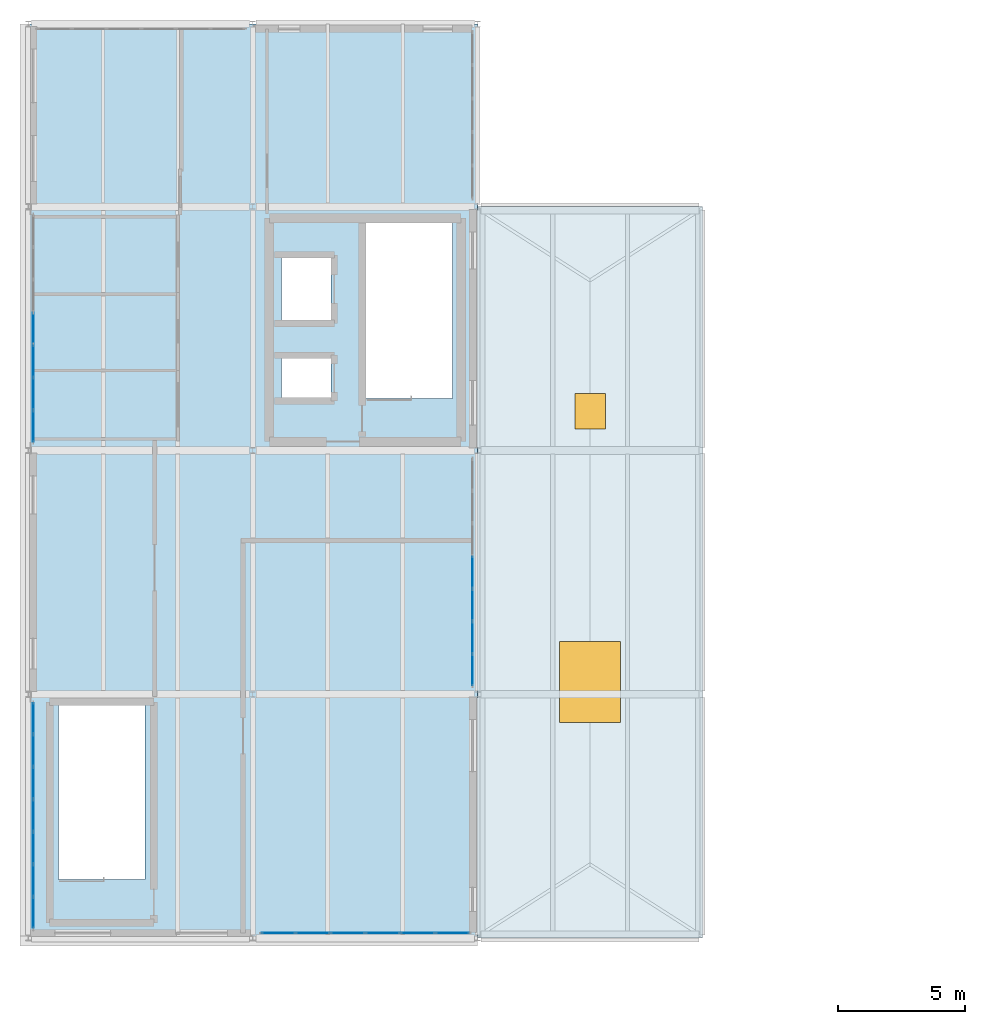
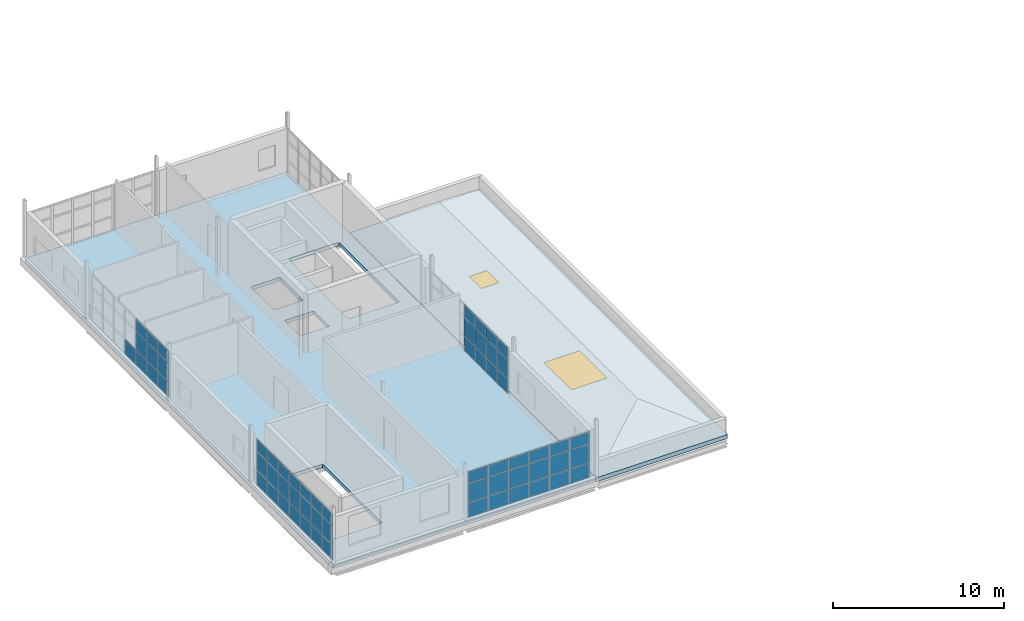
# One storey, part 10 of 16: 61 plates, 2 slabs, 1 door, 1 window, 2 openings, 4 elements without a shape of their own.
"""IFC4 building model written with IfcOpenShell, lengths in metres."""

from ifc_helpers import new_model, si_unit, direction, frame, origin, origin_2d, place, context, subcontext, project, spatial, polyline, rectangle, outline, extrude, material, layer, layer_set, type_object, element, fill, aggregate, save


model = new_model("IFC4")

# Units and contexts
model_context = context("Model", 3, precision=1e-05, world=origin(), true_north=direction((0.0, 1.0)))
body_context = subcontext(model_context, "Body", "Model", "MODEL_VIEW")
ifc_project = project(units=[si_unit("LENGTHUNIT", "METRE"), si_unit("AREAUNIT", "SQUARE_METRE"), si_unit("VOLUMEUNIT", "CUBIC_METRE"), si_unit("PLANEANGLEUNIT", "RADIAN"), si_unit("MASSUNIT", "GRAM", prefix="KILO")], contexts=[model_context])

# Site, building, storey
site_placement = place(None, origin())
site = spatial("IfcSite", under=ifc_project, at=site_placement, CompositionType="ELEMENT")
building_placement = place(site_placement, origin())
building = spatial("IfcBuilding", under=site, at=building_placement, Name="Yeouljin Market Hall", CompositionType="ELEMENT")
storey_placement = place(building_placement, frame((0.0, 0.0, 19.199951171875)))
storey = spatial("IfcBuildingStorey", under=building, at=storey_placement, Name="L04", CompositionType="ELEMENT", Elevation=19.199951171875)

# Curtain wall, plates
ifc_material_1 = material(Name="Thermally Broken Aluminium", Category="aluminium")
ifc_layer_1 = layer(ifc_material_1, 0.14990234375)
ifc_layer_set_1 = layer_set([ifc_layer_1], Name="Thermally Broken Aluminium")
curtain_wall_type = type_object("IfcCurtainWallType", Name="CW_AcademyRibbon_System", PredefinedType="USERDEFINED", material=ifc_layer_set_1)
curtain_wall_1_placement = place(storey_placement, origin())
curtain_wall_1 = element("IfcCurtainWall", 1, at=curtain_wall_1_placement, inside=storey, type_object=curtain_wall_type, Name="Curtain wall CW-L04-W01", ObjectType="CURTAIN WALL", PredefinedType="USERDEFINED")
ifc_material_2 = material(Name="Low-E Insulated Glass", Category="glass")
ifc_layer_2 = layer(ifc_material_2, 0.028076171875)
ifc_layer_set_2 = layer_set([ifc_layer_2], Name="Low-E Insulated Glass")
plate_type = type_object("IfcPlateType", Name="CWPanel_LowE_28", PredefinedType="CURTAIN_PANEL", material=ifc_layer_set_2)
plate_1_placement = place(storey_placement, frame((16.700439453125, 0.199951171875, 0.0478515625), z_axis=(0.0, 0.0, 1.0), x_axis=(-1.0, 0.0, 0.0)))
plate_1 = element("IfcPlate", 2, at=plate_1_placement, type_object=plate_type, Name="CW-05 panel 1.1", PredefinedType="CURTAIN_PANEL", context=body_context, shape_type="SweptSolid", body=[
    extrude(rectangle(XDim=1.302978515625, YDim=0.028076171875, at=origin_2d()), origin(), (0.0, 0.0, 1.0), 1.028076171875),
])
plate_2_placement = place(storey_placement, frame((16.700439453125, 0.199951171875, 1.1240234375), z_axis=(0.0, 0.0, 1.0), x_axis=(-1.0, 0.0, 0.0)))
plate_2 = element("IfcPlate", 3, at=plate_2_placement, type_object=plate_type, Name="CW-05 panel 1.2", PredefinedType="CURTAIN_PANEL", context=body_context, shape_type="SweptSolid", body=[
    extrude(rectangle(XDim=1.302978515625, YDim=0.028076171875, at=origin_2d()), origin(), (0.0, 0.0, 1.0), 1.302001953125),
])
plate_3_placement = place(storey_placement, frame((16.700439453125, 0.199951171875, 2.47412109375), z_axis=(0.0, 0.0, 1.0), x_axis=(-1.0, 0.0, 0.0)))
plate_3 = element("IfcPlate", 4, at=plate_3_placement, type_object=plate_type, Name="CW-05 panel 1.3", PredefinedType="CURTAIN_PANEL", context=body_context, shape_type="SweptSolid", body=[
    extrude(rectangle(XDim=1.302978515625, YDim=0.028076171875, at=origin_2d()), origin(), (0.0, 0.0, 1.0), 0.827880859375),
])
plate_4_placement = place(storey_placement, frame((15.33740234375, 0.199951171875, 0.0478515625), z_axis=(0.0, 0.0, 1.0), x_axis=(-1.0, 0.0, 0.0)))
plate_4 = element("IfcPlate", 5, at=plate_4_placement, type_object=plate_type, Name="CW-05 panel 2.1", PredefinedType="CURTAIN_PANEL", context=body_context, shape_type="SweptSolid", body=[
    extrude(rectangle(XDim=1.326904296875, YDim=0.028076171875, at=origin_2d()), origin(), (0.0, 0.0, 1.0), 1.028076171875),
])
plate_5_placement = place(storey_placement, frame((15.33740234375, 0.199951171875, 1.1240234375), z_axis=(0.0, 0.0, 1.0), x_axis=(-1.0, 0.0, 0.0)))
plate_5 = element("IfcPlate", 6, at=plate_5_placement, type_object=plate_type, Name="CW-05 panel 2.2", PredefinedType="CURTAIN_PANEL", context=body_context, shape_type="SweptSolid", body=[
    extrude(rectangle(XDim=1.326904296875, YDim=0.028076171875, at=origin_2d()), origin(), (0.0, 0.0, 1.0), 1.302001953125),
])
plate_6_placement = place(storey_placement, frame((15.33740234375, 0.199951171875, 2.47412109375), z_axis=(0.0, 0.0, 1.0), x_axis=(-1.0, 0.0, 0.0)))
plate_6 = element("IfcPlate", 7, at=plate_6_placement, type_object=plate_type, Name="CW-05 panel 2.3", PredefinedType="CURTAIN_PANEL", context=body_context, shape_type="SweptSolid", body=[
    extrude(rectangle(XDim=1.326904296875, YDim=0.028076171875, at=origin_2d()), origin(), (0.0, 0.0, 1.0), 0.827880859375),
])
plate_7_placement = place(storey_placement, frame((13.96240234375, 0.199951171875, 0.0478515625), z_axis=(0.0, 0.0, 1.0), x_axis=(-1.0, 0.0, 0.0)))
plate_7 = element("IfcPlate", 8, at=plate_7_placement, type_object=plate_type, Name="CW-05 panel 3.1", PredefinedType="CURTAIN_PANEL", context=body_context, shape_type="SweptSolid", body=[
    extrude(rectangle(XDim=1.326904296875, YDim=0.028076171875, at=origin_2d()), origin(), (0.0, 0.0, 1.0), 1.028076171875),
])
plate_8_placement = place(storey_placement, frame((13.96240234375, 0.199951171875, 1.1240234375), z_axis=(0.0, 0.0, 1.0), x_axis=(-1.0, 0.0, 0.0)))
plate_8 = element("IfcPlate", 9, at=plate_8_placement, type_object=plate_type, Name="CW-05 panel 3.2", PredefinedType="CURTAIN_PANEL", context=body_context, shape_type="SweptSolid", body=[
    extrude(rectangle(XDim=1.326904296875, YDim=0.028076171875, at=origin_2d()), origin(), (0.0, 0.0, 1.0), 1.302001953125),
])
plate_9_placement = place(storey_placement, frame((13.96240234375, 0.199951171875, 2.47412109375), z_axis=(0.0, 0.0, 1.0), x_axis=(-1.0, 0.0, 0.0)))
plate_9 = element("IfcPlate", 10, at=plate_9_placement, type_object=plate_type, Name="CW-05 panel 3.3", PredefinedType="CURTAIN_PANEL", context=body_context, shape_type="SweptSolid", body=[
    extrude(rectangle(XDim=1.326904296875, YDim=0.028076171875, at=origin_2d()), origin(), (0.0, 0.0, 1.0), 0.827880859375),
])
plate_10_placement = place(storey_placement, frame((12.58740234375, 0.199951171875, 0.0478515625), z_axis=(0.0, 0.0, 1.0), x_axis=(-1.0, 0.0, 0.0)))
plate_10 = element("IfcPlate", 11, at=plate_10_placement, type_object=plate_type, Name="CW-05 panel 4.1", PredefinedType="CURTAIN_PANEL", context=body_context, shape_type="SweptSolid", body=[
    extrude(rectangle(XDim=1.326904296875, YDim=0.028076171875, at=origin_2d()), origin(), (0.0, 0.0, 1.0), 1.028076171875),
])
plate_11_placement = place(storey_placement, frame((12.58740234375, 0.199951171875, 1.1240234375), z_axis=(0.0, 0.0, 1.0), x_axis=(-1.0, 0.0, 0.0)))
plate_11 = element("IfcPlate", 12, at=plate_11_placement, type_object=plate_type, Name="CW-05 panel 4.2", PredefinedType="CURTAIN_PANEL", context=body_context, shape_type="SweptSolid", body=[
    extrude(rectangle(XDim=1.326904296875, YDim=0.028076171875, at=origin_2d()), origin(), (0.0, 0.0, 1.0), 1.302001953125),
])
plate_12_placement = place(storey_placement, frame((12.58740234375, 0.199951171875, 2.47412109375), z_axis=(0.0, 0.0, 1.0), x_axis=(-1.0, 0.0, 0.0)))
plate_12 = element("IfcPlate", 13, at=plate_12_placement, type_object=plate_type, Name="CW-05 panel 4.3", PredefinedType="CURTAIN_PANEL", context=body_context, shape_type="SweptSolid", body=[
    extrude(rectangle(XDim=1.326904296875, YDim=0.028076171875, at=origin_2d()), origin(), (0.0, 0.0, 1.0), 0.827880859375),
])
plate_13_placement = place(storey_placement, frame((11.21240234375, 0.199951171875, 0.0478515625), z_axis=(0.0, 0.0, 1.0), x_axis=(-1.0, 0.0, 0.0)))
plate_13 = element("IfcPlate", 14, at=plate_13_placement, type_object=plate_type, Name="CW-05 panel 5.1", PredefinedType="CURTAIN_PANEL", context=body_context, shape_type="SweptSolid", body=[
    extrude(rectangle(XDim=1.326904296875, YDim=0.028076171875, at=origin_2d()), origin(), (0.0, 0.0, 1.0), 1.028076171875),
])
plate_14_placement = place(storey_placement, frame((11.21240234375, 0.199951171875, 1.1240234375), z_axis=(0.0, 0.0, 1.0), x_axis=(-1.0, 0.0, 0.0)))
plate_14 = element("IfcPlate", 15, at=plate_14_placement, type_object=plate_type, Name="CW-05 panel 5.2", PredefinedType="CURTAIN_PANEL", context=body_context, shape_type="SweptSolid", body=[
    extrude(rectangle(XDim=1.326904296875, YDim=0.028076171875, at=origin_2d()), origin(), (0.0, 0.0, 1.0), 1.302001953125),
])
plate_15_placement = place(storey_placement, frame((11.21240234375, 0.199951171875, 2.47412109375), z_axis=(0.0, 0.0, 1.0), x_axis=(-1.0, 0.0, 0.0)))
plate_15 = element("IfcPlate", 16, at=plate_15_placement, type_object=plate_type, Name="CW-05 panel 5.3", PredefinedType="CURTAIN_PANEL", context=body_context, shape_type="SweptSolid", body=[
    extrude(rectangle(XDim=1.326904296875, YDim=0.028076171875, at=origin_2d()), origin(), (0.0, 0.0, 1.0), 0.827880859375),
])
plate_16_placement = place(storey_placement, frame((9.849609375, 0.199951171875, 0.0478515625), z_axis=(0.0, 0.0, 1.0), x_axis=(-1.0, 0.0, 0.0)))
plate_16 = element("IfcPlate", 17, at=plate_16_placement, type_object=plate_type, Name="CW-05 panel 6.1", PredefinedType="CURTAIN_PANEL", context=body_context, shape_type="SweptSolid", body=[
    extrude(rectangle(XDim=1.302978515625, YDim=0.028076171875, at=origin_2d()), origin(), (0.0, 0.0, 1.0), 1.028076171875),
])
plate_17_placement = place(storey_placement, frame((9.849609375, 0.199951171875, 1.1240234375), z_axis=(0.0, 0.0, 1.0), x_axis=(-1.0, 0.0, 0.0)))
plate_17 = element("IfcPlate", 18, at=plate_17_placement, type_object=plate_type, Name="CW-05 panel 6.2", PredefinedType="CURTAIN_PANEL", context=body_context, shape_type="SweptSolid", body=[
    extrude(rectangle(XDim=1.302978515625, YDim=0.028076171875, at=origin_2d()), origin(), (0.0, 0.0, 1.0), 1.302001953125),
])
plate_18_placement = place(storey_placement, frame((9.849609375, 0.199951171875, 2.47412109375), z_axis=(0.0, 0.0, 1.0), x_axis=(-1.0, 0.0, 0.0)))
plate_18 = element("IfcPlate", 19, at=plate_18_placement, type_object=plate_type, Name="CW-05 panel 6.3", PredefinedType="CURTAIN_PANEL", context=body_context, shape_type="SweptSolid", body=[
    extrude(rectangle(XDim=1.302978515625, YDim=0.028076171875, at=origin_2d()), origin(), (0.0, 0.0, 1.0), 0.827880859375),
])
aggregate(curtain_wall_1, [plate_1, plate_2, plate_3, plate_4, plate_5, plate_6, plate_7, plate_8, plate_9, plate_10, plate_11, plate_12, plate_13, plate_14, plate_15, plate_16, plate_17, plate_18])

curtain_wall_2_placement = place(storey_placement, origin())
curtain_wall_2 = element("IfcCurtainWall", 20, at=curtain_wall_2_placement, inside=storey, type_object=curtain_wall_type, Name="Curtain wall CW-L04-W03", ObjectType="CURTAIN WALL", PredefinedType="USERDEFINED")
plate_19_placement = place(storey_placement, frame((0.199951171875, 1.001220703125, 0.0478515625), z_axis=(0.0, 0.0, 1.0), x_axis=(0.0, 1.0, 0.0)))
plate_19 = element("IfcPlate", 21, at=plate_19_placement, type_object=plate_type, Name="CW-05 panel 1.1", PredefinedType="CURTAIN_PANEL", context=body_context, shape_type="SweptSolid", body=[
    extrude(rectangle(XDim=1.20654296875, YDim=0.028076171875, at=origin_2d()), origin(), (0.0, 0.0, 1.0), 1.028076171875),
])
plate_20_placement = place(storey_placement, frame((0.199951171875, 1.001220703125, 1.1240234375), z_axis=(0.0, 0.0, 1.0), x_axis=(0.0, 1.0, 0.0)))
plate_20 = element("IfcPlate", 22, at=plate_20_placement, type_object=plate_type, Name="CW-05 panel 1.2", PredefinedType="CURTAIN_PANEL", context=body_context, shape_type="SweptSolid", body=[
    extrude(rectangle(XDim=1.20654296875, YDim=0.028076171875, at=origin_2d()), origin(), (0.0, 0.0, 1.0), 1.302001953125),
])
plate_21_placement = place(storey_placement, frame((0.199951171875, 1.001220703125, 2.47412109375), z_axis=(0.0, 0.0, 1.0), x_axis=(0.0, 1.0, 0.0)))
plate_21 = element("IfcPlate", 23, at=plate_21_placement, type_object=plate_type, Name="CW-05 panel 1.3", PredefinedType="CURTAIN_PANEL", context=body_context, shape_type="SweptSolid", body=[
    extrude(rectangle(XDim=1.20654296875, YDim=0.028076171875, at=origin_2d()), origin(), (0.0, 0.0, 1.0), 0.827880859375),
])
plate_22_placement = place(storey_placement, frame((0.199951171875, 2.267822265625, 0.0478515625), z_axis=(0.0, 0.0, 1.0), x_axis=(0.0, 1.0, 0.0)))
plate_22 = element("IfcPlate", 24, at=plate_22_placement, type_object=plate_type, Name="CW-05 panel 2.1", PredefinedType="CURTAIN_PANEL", context=body_context, shape_type="SweptSolid", body=[
    extrude(rectangle(XDim=1.23046875, YDim=0.028076171875, at=origin_2d()), origin(), (0.0, 0.0, 1.0), 1.028076171875),
])
plate_23_placement = place(storey_placement, frame((0.199951171875, 2.267822265625, 1.1240234375), z_axis=(0.0, 0.0, 1.0), x_axis=(0.0, 1.0, 0.0)))
plate_23 = element("IfcPlate", 25, at=plate_23_placement, type_object=plate_type, Name="CW-05 panel 2.2", PredefinedType="CURTAIN_PANEL", context=body_context, shape_type="SweptSolid", body=[
    extrude(rectangle(XDim=1.23046875, YDim=0.028076171875, at=origin_2d()), origin(), (0.0, 0.0, 1.0), 1.302001953125),
])
plate_24_placement = place(storey_placement, frame((0.199951171875, 2.267822265625, 2.47412109375), z_axis=(0.0, 0.0, 1.0), x_axis=(0.0, 1.0, 0.0)))
plate_24 = element("IfcPlate", 26, at=plate_24_placement, type_object=plate_type, Name="CW-05 panel 2.3", PredefinedType="CURTAIN_PANEL", context=body_context, shape_type="SweptSolid", body=[
    extrude(rectangle(XDim=1.23046875, YDim=0.028076171875, at=origin_2d()), origin(), (0.0, 0.0, 1.0), 0.827880859375),
])
plate_25_placement = place(storey_placement, frame((0.199951171875, 3.54638671875, 0.0478515625), z_axis=(0.0, 0.0, 1.0), x_axis=(0.0, 1.0, 0.0)))
plate_25 = element("IfcPlate", 27, at=plate_25_placement, type_object=plate_type, Name="CW-05 panel 3.1", PredefinedType="CURTAIN_PANEL", context=body_context, shape_type="SweptSolid", body=[
    extrude(rectangle(XDim=1.23046875, YDim=0.028076171875, at=origin_2d()), origin(), (0.0, 0.0, 1.0), 1.028076171875),
])
plate_26_placement = place(storey_placement, frame((0.199951171875, 3.54638671875, 1.1240234375), z_axis=(0.0, 0.0, 1.0), x_axis=(0.0, 1.0, 0.0)))
plate_26 = element("IfcPlate", 28, at=plate_26_placement, type_object=plate_type, Name="CW-05 panel 3.2", PredefinedType="CURTAIN_PANEL", context=body_context, shape_type="SweptSolid", body=[
    extrude(rectangle(XDim=1.23046875, YDim=0.028076171875, at=origin_2d()), origin(), (0.0, 0.0, 1.0), 1.302001953125),
])
plate_27_placement = place(storey_placement, frame((0.199951171875, 3.54638671875, 2.47412109375), z_axis=(0.0, 0.0, 1.0), x_axis=(0.0, 1.0, 0.0)))
plate_27 = element("IfcPlate", 29, at=plate_27_placement, type_object=plate_type, Name="CW-05 panel 3.3", PredefinedType="CURTAIN_PANEL", context=body_context, shape_type="SweptSolid", body=[
    extrude(rectangle(XDim=1.23046875, YDim=0.028076171875, at=origin_2d()), origin(), (0.0, 0.0, 1.0), 0.827880859375),
])
plate_28_placement = place(storey_placement, frame((0.199951171875, 4.824951171875, 0.0478515625), z_axis=(0.0, 0.0, 1.0), x_axis=(0.0, 1.0, 0.0)))
plate_28 = element("IfcPlate", 30, at=plate_28_placement, type_object=plate_type, Name="CW-05 panel 4.1", PredefinedType="CURTAIN_PANEL", context=body_context, shape_type="SweptSolid", body=[
    extrude(rectangle(XDim=1.23046875, YDim=0.028076171875, at=origin_2d()), origin(), (0.0, 0.0, 1.0), 1.028076171875),
])
plate_29_placement = place(storey_placement, frame((0.199951171875, 4.824951171875, 1.1240234375), z_axis=(0.0, 0.0, 1.0), x_axis=(0.0, 1.0, 0.0)))
plate_29 = element("IfcPlate", 31, at=plate_29_placement, type_object=plate_type, Name="CW-05 panel 4.2", PredefinedType="CURTAIN_PANEL", context=body_context, shape_type="SweptSolid", body=[
    extrude(rectangle(XDim=1.23046875, YDim=0.028076171875, at=origin_2d()), origin(), (0.0, 0.0, 1.0), 1.302001953125),
])
plate_30_placement = place(storey_placement, frame((0.199951171875, 4.824951171875, 2.47412109375), z_axis=(0.0, 0.0, 1.0), x_axis=(0.0, 1.0, 0.0)))
plate_30 = element("IfcPlate", 32, at=plate_30_placement, type_object=plate_type, Name="CW-05 panel 4.3", PredefinedType="CURTAIN_PANEL", context=body_context, shape_type="SweptSolid", body=[
    extrude(rectangle(XDim=1.23046875, YDim=0.028076171875, at=origin_2d()), origin(), (0.0, 0.0, 1.0), 0.827880859375),
])
plate_31_placement = place(storey_placement, frame((0.199951171875, 6.103515625, 0.0478515625), z_axis=(0.0, 0.0, 1.0), x_axis=(0.0, 1.0, 0.0)))
plate_31 = element("IfcPlate", 33, at=plate_31_placement, type_object=plate_type, Name="CW-05 panel 5.1", PredefinedType="CURTAIN_PANEL", context=body_context, shape_type="SweptSolid", body=[
    extrude(rectangle(XDim=1.23046875, YDim=0.028076171875, at=origin_2d()), origin(), (0.0, 0.0, 1.0), 1.028076171875),
])
plate_32_placement = place(storey_placement, frame((0.199951171875, 6.103515625, 1.1240234375), z_axis=(0.0, 0.0, 1.0), x_axis=(0.0, 1.0, 0.0)))
plate_32 = element("IfcPlate", 34, at=plate_32_placement, type_object=plate_type, Name="CW-05 panel 5.2", PredefinedType="CURTAIN_PANEL", context=body_context, shape_type="SweptSolid", body=[
    extrude(rectangle(XDim=1.23046875, YDim=0.028076171875, at=origin_2d()), origin(), (0.0, 0.0, 1.0), 1.302001953125),
])
plate_33_placement = place(storey_placement, frame((0.199951171875, 6.103515625, 2.47412109375), z_axis=(0.0, 0.0, 1.0), x_axis=(0.0, 1.0, 0.0)))
plate_33 = element("IfcPlate", 35, at=plate_33_placement, type_object=plate_type, Name="CW-05 panel 5.3", PredefinedType="CURTAIN_PANEL", context=body_context, shape_type="SweptSolid", body=[
    extrude(rectangle(XDim=1.23046875, YDim=0.028076171875, at=origin_2d()), origin(), (0.0, 0.0, 1.0), 0.827880859375),
])
plate_34_placement = place(storey_placement, frame((0.199951171875, 7.382080078125, 0.0478515625), z_axis=(0.0, 0.0, 1.0), x_axis=(0.0, 1.0, 0.0)))
plate_34 = element("IfcPlate", 36, at=plate_34_placement, type_object=plate_type, Name="CW-05 panel 6.1", PredefinedType="CURTAIN_PANEL", context=body_context, shape_type="SweptSolid", body=[
    extrude(rectangle(XDim=1.23046875, YDim=0.028076171875, at=origin_2d()), origin(), (0.0, 0.0, 1.0), 1.028076171875),
])
plate_35_placement = place(storey_placement, frame((0.199951171875, 7.382080078125, 1.1240234375), z_axis=(0.0, 0.0, 1.0), x_axis=(0.0, 1.0, 0.0)))
plate_35 = element("IfcPlate", 37, at=plate_35_placement, type_object=plate_type, Name="CW-05 panel 6.2", PredefinedType="CURTAIN_PANEL", context=body_context, shape_type="SweptSolid", body=[
    extrude(rectangle(XDim=1.23046875, YDim=0.028076171875, at=origin_2d()), origin(), (0.0, 0.0, 1.0), 1.302001953125),
])
plate_36_placement = place(storey_placement, frame((0.199951171875, 7.382080078125, 2.47412109375), z_axis=(0.0, 0.0, 1.0), x_axis=(0.0, 1.0, 0.0)))
plate_36 = element("IfcPlate", 38, at=plate_36_placement, type_object=plate_type, Name="CW-05 panel 6.3", PredefinedType="CURTAIN_PANEL", context=body_context, shape_type="SweptSolid", body=[
    extrude(rectangle(XDim=1.23046875, YDim=0.028076171875, at=origin_2d()), origin(), (0.0, 0.0, 1.0), 0.827880859375),
])
plate_37_placement = place(storey_placement, frame((0.199951171875, 8.648681640625, 0.0478515625), z_axis=(0.0, 0.0, 1.0), x_axis=(0.0, 1.0, 0.0)))
plate_37 = element("IfcPlate", 39, at=plate_37_placement, type_object=plate_type, Name="CW-05 panel 7.1", PredefinedType="CURTAIN_PANEL", context=body_context, shape_type="SweptSolid", body=[
    extrude(rectangle(XDim=1.20654296875, YDim=0.028076171875, at=origin_2d()), origin(), (0.0, 0.0, 1.0), 1.028076171875),
])
plate_38_placement = place(storey_placement, frame((0.199951171875, 8.648681640625, 1.1240234375), z_axis=(0.0, 0.0, 1.0), x_axis=(0.0, 1.0, 0.0)))
plate_38 = element("IfcPlate", 40, at=plate_38_placement, type_object=plate_type, Name="CW-05 panel 7.2", PredefinedType="CURTAIN_PANEL", context=body_context, shape_type="SweptSolid", body=[
    extrude(rectangle(XDim=1.20654296875, YDim=0.028076171875, at=origin_2d()), origin(), (0.0, 0.0, 1.0), 1.302001953125),
])
plate_39_placement = place(storey_placement, frame((0.199951171875, 8.648681640625, 2.47412109375), z_axis=(0.0, 0.0, 1.0), x_axis=(0.0, 1.0, 0.0)))
plate_39 = element("IfcPlate", 41, at=plate_39_placement, type_object=plate_type, Name="CW-05 panel 7.3", PredefinedType="CURTAIN_PANEL", context=body_context, shape_type="SweptSolid", body=[
    extrude(rectangle(XDim=1.20654296875, YDim=0.028076171875, at=origin_2d()), origin(), (0.0, 0.0, 1.0), 0.827880859375),
])
aggregate(curtain_wall_2, [plate_19, plate_20, plate_21, plate_22, plate_23, plate_24, plate_25, plate_26, plate_27, plate_28, plate_29, plate_30, plate_31, plate_32, plate_33, plate_34, plate_35, plate_36, plate_37, plate_38, plate_39])

curtain_wall_3_placement = place(storey_placement, origin())
curtain_wall_3 = element("IfcCurtainWall", 42, at=curtain_wall_3_placement, inside=storey, type_object=curtain_wall_type, Name="Curtain wall CW-L04-W05", ObjectType="CURTAIN WALL", PredefinedType="USERDEFINED")
plate_40_placement = place(storey_placement, frame((0.199951171875, 20.15478515625, 0.0478515625), z_axis=(0.0, 0.0, 1.0), x_axis=(0.0, 1.0, 0.0)))
plate_40 = element("IfcPlate", 43, at=plate_40_placement, type_object=plate_type, Name="CW-05 panel 1.1", PredefinedType="CURTAIN_PANEL", context=body_context, shape_type="SweptSolid", body=[
    extrude(rectangle(XDim=1.213623046875, YDim=0.028076171875, at=origin_2d()), origin(), (0.0, 0.0, 1.0), 1.028076171875),
])
plate_41_placement = place(storey_placement, frame((0.199951171875, 20.15478515625, 1.1240234375), z_axis=(0.0, 0.0, 1.0), x_axis=(0.0, 1.0, 0.0)))
plate_41 = element("IfcPlate", 44, at=plate_41_placement, type_object=plate_type, Name="CW-05 panel 1.2", PredefinedType="CURTAIN_PANEL", context=body_context, shape_type="SweptSolid", body=[
    extrude(rectangle(XDim=1.213623046875, YDim=0.028076171875, at=origin_2d()), origin(), (0.0, 0.0, 1.0), 1.302001953125),
])
plate_42_placement = place(storey_placement, frame((0.199951171875, 20.15478515625, 2.47412109375), z_axis=(0.0, 0.0, 1.0), x_axis=(0.0, 1.0, 0.0)))
plate_42 = element("IfcPlate", 45, at=plate_42_placement, type_object=plate_type, Name="CW-05 panel 1.3", PredefinedType="CURTAIN_PANEL", context=body_context, shape_type="SweptSolid", body=[
    extrude(rectangle(XDim=1.213623046875, YDim=0.028076171875, at=origin_2d()), origin(), (0.0, 0.0, 1.0), 0.827880859375),
])
plate_43_placement = place(storey_placement, frame((0.199951171875, 21.428466796875, 0.0478515625), z_axis=(0.0, 0.0, 1.0), x_axis=(0.0, 1.0, 0.0)))
plate_43 = element("IfcPlate", 46, at=plate_43_placement, type_object=plate_type, Name="CW-05 panel 2.1", PredefinedType="CURTAIN_PANEL", context=body_context, shape_type="SweptSolid", body=[
    extrude(rectangle(XDim=1.23779296875, YDim=0.028076171875, at=origin_2d()), origin(), (0.0, 0.0, 1.0), 1.028076171875),
])
plate_44_placement = place(storey_placement, frame((0.199951171875, 21.428466796875, 1.1240234375), z_axis=(0.0, 0.0, 1.0), x_axis=(0.0, 1.0, 0.0)))
plate_44 = element("IfcPlate", 47, at=plate_44_placement, type_object=plate_type, Name="CW-05 panel 2.2", PredefinedType="CURTAIN_PANEL", context=body_context, shape_type="SweptSolid", body=[
    extrude(rectangle(XDim=1.23779296875, YDim=0.028076171875, at=origin_2d()), origin(), (0.0, 0.0, 1.0), 1.302001953125),
])
plate_45_placement = place(storey_placement, frame((0.199951171875, 21.428466796875, 2.47412109375), z_axis=(0.0, 0.0, 1.0), x_axis=(0.0, 1.0, 0.0)))
plate_45 = element("IfcPlate", 48, at=plate_45_placement, type_object=plate_type, Name="CW-05 panel 2.3", PredefinedType="CURTAIN_PANEL", context=body_context, shape_type="SweptSolid", body=[
    extrude(rectangle(XDim=1.23779296875, YDim=0.028076171875, at=origin_2d()), origin(), (0.0, 0.0, 1.0), 0.827880859375),
])
plate_46_placement = place(storey_placement, frame((0.199951171875, 22.71435546875, 0.0478515625), z_axis=(0.0, 0.0, 1.0), x_axis=(0.0, 1.0, 0.0)))
plate_46 = element("IfcPlate", 49, at=plate_46_placement, type_object=plate_type, Name="CW-05 panel 3.1", PredefinedType="CURTAIN_PANEL", context=body_context, shape_type="SweptSolid", body=[
    extrude(rectangle(XDim=1.23779296875, YDim=0.028076171875, at=origin_2d()), origin(), (0.0, 0.0, 1.0), 1.028076171875),
])
plate_47_placement = place(storey_placement, frame((0.199951171875, 22.71435546875, 1.1240234375), z_axis=(0.0, 0.0, 1.0), x_axis=(0.0, 1.0, 0.0)))
plate_47 = element("IfcPlate", 50, at=plate_47_placement, type_object=plate_type, Name="CW-05 panel 3.2", PredefinedType="CURTAIN_PANEL", context=body_context, shape_type="SweptSolid", body=[
    extrude(rectangle(XDim=1.23779296875, YDim=0.028076171875, at=origin_2d()), origin(), (0.0, 0.0, 1.0), 1.302001953125),
])
plate_48_placement = place(storey_placement, frame((0.199951171875, 22.71435546875, 2.47412109375), z_axis=(0.0, 0.0, 1.0), x_axis=(0.0, 1.0, 0.0)))
plate_48 = element("IfcPlate", 51, at=plate_48_placement, type_object=plate_type, Name="CW-05 panel 3.3", PredefinedType="CURTAIN_PANEL", context=body_context, shape_type="SweptSolid", body=[
    extrude(rectangle(XDim=1.23779296875, YDim=0.028076171875, at=origin_2d()), origin(), (0.0, 0.0, 1.0), 0.827880859375),
])
plate_49_placement = place(storey_placement, frame((0.199951171875, 24.0, 0.0478515625), z_axis=(0.0, 0.0, 1.0), x_axis=(0.0, 1.0, 0.0)))
plate_49 = element("IfcPlate", 52, at=plate_49_placement, type_object=plate_type, Name="CW-05 panel 4.1", PredefinedType="CURTAIN_PANEL", context=body_context, shape_type="SweptSolid", body=[
    extrude(rectangle(XDim=1.23779296875, YDim=0.028076171875, at=origin_2d()), origin(), (0.0, 0.0, 1.0), 1.028076171875),
])
aggregate(curtain_wall_3, [plate_40, plate_41, plate_42, plate_43, plate_44, plate_45, plate_46, plate_47, plate_48, plate_49])

curtain_wall_4_placement = place(storey_placement, origin())
curtain_wall_4 = element("IfcCurtainWall", 53, at=curtain_wall_4_placement, inside=storey, type_object=curtain_wall_type, Name="Curtain wall CW-L04-W11", ObjectType="CURTAIN WALL", PredefinedType="USERDEFINED")
plate_50_placement = place(storey_placement, frame((17.5, 14.39990234375, 0.0478515625), z_axis=(0.0, 0.0, 1.0), x_axis=(0.0, -1.0, 0.0)))
plate_50 = element("IfcPlate", 54, at=plate_50_placement, type_object=plate_type, Name="CW-05 panel 4.1", PredefinedType="CURTAIN_PANEL", context=body_context, shape_type="SweptSolid", body=[
    extrude(rectangle(XDim=1.23779296875, YDim=0.028076171875, at=origin_2d()), origin(), (0.0, 0.0, 1.0), 1.028076171875),
])
plate_51_placement = place(storey_placement, frame((17.5, 14.39990234375, 1.1240234375), z_axis=(0.0, 0.0, 1.0), x_axis=(0.0, -1.0, 0.0)))
plate_51 = element("IfcPlate", 55, at=plate_51_placement, type_object=plate_type, Name="CW-05 panel 4.2", PredefinedType="CURTAIN_PANEL", context=body_context, shape_type="SweptSolid", body=[
    extrude(rectangle(XDim=1.23779296875, YDim=0.028076171875, at=origin_2d()), origin(), (0.0, 0.0, 1.0), 1.302001953125),
])
plate_52_placement = place(storey_placement, frame((17.5, 14.39990234375, 2.47412109375), z_axis=(0.0, 0.0, 1.0), x_axis=(0.0, -1.0, 0.0)))
plate_52 = element("IfcPlate", 56, at=plate_52_placement, type_object=plate_type, Name="CW-05 panel 4.3", PredefinedType="CURTAIN_PANEL", context=body_context, shape_type="SweptSolid", body=[
    extrude(rectangle(XDim=1.23779296875, YDim=0.028076171875, at=origin_2d()), origin(), (0.0, 0.0, 1.0), 0.827880859375),
])
plate_53_placement = place(storey_placement, frame((17.5, 13.1142578125, 0.0478515625), z_axis=(0.0, 0.0, 1.0), x_axis=(0.0, -1.0, 0.0)))
plate_53 = element("IfcPlate", 57, at=plate_53_placement, type_object=plate_type, Name="CW-05 panel 5.1", PredefinedType="CURTAIN_PANEL", context=body_context, shape_type="SweptSolid", body=[
    extrude(rectangle(XDim=1.23779296875, YDim=0.028076171875, at=origin_2d()), origin(), (0.0, 0.0, 1.0), 1.028076171875),
])
plate_54_placement = place(storey_placement, frame((17.5, 13.1142578125, 1.1240234375), z_axis=(0.0, 0.0, 1.0), x_axis=(0.0, -1.0, 0.0)))
plate_54 = element("IfcPlate", 58, at=plate_54_placement, type_object=plate_type, Name="CW-05 panel 5.2", PredefinedType="CURTAIN_PANEL", context=body_context, shape_type="SweptSolid", body=[
    extrude(rectangle(XDim=1.23779296875, YDim=0.028076171875, at=origin_2d()), origin(), (0.0, 0.0, 1.0), 1.302001953125),
])
plate_55_placement = place(storey_placement, frame((17.5, 13.1142578125, 2.47412109375), z_axis=(0.0, 0.0, 1.0), x_axis=(0.0, -1.0, 0.0)))
plate_55 = element("IfcPlate", 59, at=plate_55_placement, type_object=plate_type, Name="CW-05 panel 5.3", PredefinedType="CURTAIN_PANEL", context=body_context, shape_type="SweptSolid", body=[
    extrude(rectangle(XDim=1.23779296875, YDim=0.028076171875, at=origin_2d()), origin(), (0.0, 0.0, 1.0), 0.827880859375),
])
plate_56_placement = place(storey_placement, frame((17.5, 11.82861328125, 0.0478515625), z_axis=(0.0, 0.0, 1.0), x_axis=(0.0, -1.0, 0.0)))
plate_56 = element("IfcPlate", 60, at=plate_56_placement, type_object=plate_type, Name="CW-05 panel 6.1", PredefinedType="CURTAIN_PANEL", context=body_context, shape_type="SweptSolid", body=[
    extrude(rectangle(XDim=1.23779296875, YDim=0.028076171875, at=origin_2d()), origin(), (0.0, 0.0, 1.0), 1.028076171875),
])
plate_57_placement = place(storey_placement, frame((17.5, 11.82861328125, 1.1240234375), z_axis=(0.0, 0.0, 1.0), x_axis=(0.0, -1.0, 0.0)))
plate_57 = element("IfcPlate", 61, at=plate_57_placement, type_object=plate_type, Name="CW-05 panel 6.2", PredefinedType="CURTAIN_PANEL", context=body_context, shape_type="SweptSolid", body=[
    extrude(rectangle(XDim=1.23779296875, YDim=0.028076171875, at=origin_2d()), origin(), (0.0, 0.0, 1.0), 1.302001953125),
])
plate_58_placement = place(storey_placement, frame((17.5, 11.82861328125, 2.47412109375), z_axis=(0.0, 0.0, 1.0), x_axis=(0.0, -1.0, 0.0)))
plate_58 = element("IfcPlate", 62, at=plate_58_placement, type_object=plate_type, Name="CW-05 panel 6.3", PredefinedType="CURTAIN_PANEL", context=body_context, shape_type="SweptSolid", body=[
    extrude(rectangle(XDim=1.23779296875, YDim=0.028076171875, at=origin_2d()), origin(), (0.0, 0.0, 1.0), 0.827880859375),
])
plate_59_placement = place(storey_placement, frame((17.5, 10.554931640625, 0.0478515625), z_axis=(0.0, 0.0, 1.0), x_axis=(0.0, -1.0, 0.0)))
plate_59 = element("IfcPlate", 63, at=plate_59_placement, type_object=plate_type, Name="CW-05 panel 7.1", PredefinedType="CURTAIN_PANEL", context=body_context, shape_type="SweptSolid", body=[
    extrude(rectangle(XDim=1.213623046875, YDim=0.028076171875, at=origin_2d()), origin(), (0.0, 0.0, 1.0), 1.028076171875),
])
plate_60_placement = place(storey_placement, frame((17.5, 10.554931640625, 1.1240234375), z_axis=(0.0, 0.0, 1.0), x_axis=(0.0, -1.0, 0.0)))
plate_60 = element("IfcPlate", 64, at=plate_60_placement, type_object=plate_type, Name="CW-05 panel 7.2", PredefinedType="CURTAIN_PANEL", context=body_context, shape_type="SweptSolid", body=[
    extrude(rectangle(XDim=1.213623046875, YDim=0.028076171875, at=origin_2d()), origin(), (0.0, 0.0, 1.0), 1.302001953125),
])
plate_61_placement = place(storey_placement, frame((17.5, 10.554931640625, 2.47412109375), z_axis=(0.0, 0.0, 1.0), x_axis=(0.0, -1.0, 0.0)))
plate_61 = element("IfcPlate", 65, at=plate_61_placement, type_object=plate_type, Name="CW-05 panel 7.3", PredefinedType="CURTAIN_PANEL", context=body_context, shape_type="SweptSolid", body=[
    extrude(rectangle(XDim=1.213623046875, YDim=0.028076171875, at=origin_2d()), origin(), (0.0, 0.0, 1.0), 0.827880859375),
])
aggregate(curtain_wall_4, [plate_50, plate_51, plate_52, plate_53, plate_54, plate_55, plate_56, plate_57, plate_58, plate_59, plate_60, plate_61])

# Slab, openings, door, window
ifc_material_3 = material(Name="Concrete C30/37", Category="concrete")
ifc_layer_3 = layer(ifc_material_3, 0.2900390625)
ifc_layer_set_3 = layer_set([ifc_layer_3], Name="Concrete C30/37")
slab_type_1 = type_object("IfcSlabType", Name="SLB_ROOF_225", PredefinedType="ROOF", material=ifc_layer_set_3)
slab_1_placement = place(storey_placement, frame((0.0, 0.0, -0.280029296875)))
slab_1 = element("IfcSlab", 66, at=slab_1_placement, inside=storey, type_object=slab_type_1, Name="Wing structural roof slab RSLB-V2-L03S", PredefinedType="ROOF", context=body_context, shape_type="SweptSolid", body=[
    extrude(outline(polyline([(17.699951171875, 0.0), (26.550048828125, 0.0), (26.550048828125, 28.800048828125), (17.699951171875, 28.800048828125), (17.699951171875, 0.0)])), origin(), (0.0, 0.0, 1.0), 0.2900390625),
])
opening_1_placement = place(slab_1_placement, frame((22.125, 10.080078125, 0.0)))
opening_1 = element("IfcOpeningElement", 67, at=opening_1_placement, cuts=slab_1, Name="Opening SK-05", PredefinedType="OPENING", context=body_context, shape_type="SweptSolid", body=[
    extrude(rectangle(XDim=2.39990234375, YDim=3.199951171875, at=origin_2d()), origin(), (0.0, 0.0, 1.0), 0.2900390625),
])
opening_2_placement = place(slab_1_placement, frame((22.125, 20.736083984375, 0.0)))
opening_2 = element("IfcOpeningElement", 68, at=opening_2_placement, cuts=slab_1, Name="Opening HT-07", PredefinedType="OPENING", context=body_context, shape_type="SweptSolid", body=[
    extrude(rectangle(XDim=1.199951171875, YDim=1.39990234375, at=origin_2d()), origin(), (0.0, 0.0, 1.0), 0.2900390625),
])
ifc_material_4 = material(Name="Galvanised Painted Steel", Category="steel")
door_type = type_object("IfcDoorType", Name="DT-HT120", OperationType="SINGLE_SWING_LEFT", PredefinedType="TRAPDOOR", material=ifc_material_4)
door_placement = place(opening_2_placement, frame((0.0, 0.0, 0.239990234375)))
door = element("IfcDoor", 69, at=door_placement, inside=storey, type_object=door_type, Name="Roof maintenance access hatch HT-07", OperationType="SINGLE_SWING_LEFT", OverallHeight=1.39990234375, OverallWidth=1.199951171875, PredefinedType="TRAPDOOR", context=body_context, shape_type="SweptSolid", body=[
    extrude(rectangle(XDim=1.199951171875, YDim=1.39990234375, at=origin_2d()), origin(), (0.0, 0.0, 1.0), 0.050048828125),
])
fill(opening_2, door)
ifc_material_5 = material(Name="Low-E Insulated Glass", Category="glass")
window_type = type_object("IfcWindowType", Name="Skylight_2400x3200", PartitioningType="SINGLE_PANEL", PredefinedType="SKYLIGHT", material=ifc_material_5)
window_placement = place(opening_1_placement, frame((0.0, 0.0, 0.239990234375)))
window = element("IfcWindow", 70, at=window_placement, inside=storey, type_object=window_type, Name="Roof skylight 11", OverallHeight=3.199951171875, OverallWidth=2.39990234375, PartitioningType="SINGLE_PANEL", PredefinedType="SKYLIGHT", context=body_context, shape_type="SweptSolid", body=[
    extrude(rectangle(XDim=2.39990234375, YDim=3.199951171875, at=origin_2d()), origin(), (0.0, 0.0, 1.0), 0.050048828125),
])
fill(opening_1, window)

# Slab
ifc_material_6 = material(Name="Concrete C30/37", Category="concrete")
ifc_layer_4 = layer(ifc_material_6, 0.264892578125)
ifc_layer_set_4 = layer_set([ifc_layer_4], Name="Concrete C30/37")
slab_type_2 = type_object("IfcSlabType", Name="SLB_WING_220", PredefinedType="FLOOR", material=ifc_layer_set_4)
slab_2_placement = place(storey_placement, frame((0.0, 0.0, -0.264892578125)))
element("IfcSlab", 71, at=slab_2_placement, inside=storey, type_object=slab_type_2, Name="Structural slab SLB-L04-WS", PredefinedType="FLOOR", context=body_context, shape_type="SweptSolid", body=[
    extrude(outline(polyline([(0.0, 0.0), (17.699951171875, 0.0), (17.699951171875, 36.0), (0.0, 36.0), (0.0, 0.0)]), holes=[polyline([(13.300048828125, 21.25), (16.699951171875, 21.25), (16.699951171875, 28.27001953125), (13.300048828125, 28.27001953125), (13.300048828125, 21.25)]), polyline([(1.199951171875, 2.300048828125), (4.60009765625, 2.300048828125), (4.60009765625, 9.219970703125), (1.199951171875, 9.219970703125), (1.199951171875, 2.300048828125)]), polyline([(9.97509765625, 21.14990234375), (11.925048828125, 21.14990234375), (11.925048828125, 22.949951171875), (9.97509765625, 22.949951171875), (9.97509765625, 21.14990234375)]), polyline([(9.97509765625, 24.199951171875), (11.925048828125, 24.199951171875), (11.925048828125, 26.89990234375), (9.97509765625, 26.89990234375), (9.97509765625, 24.199951171875)])]), origin(), (0.0, 0.0, 1.0), 0.264892578125),
])

save(model, "model.ifc")
